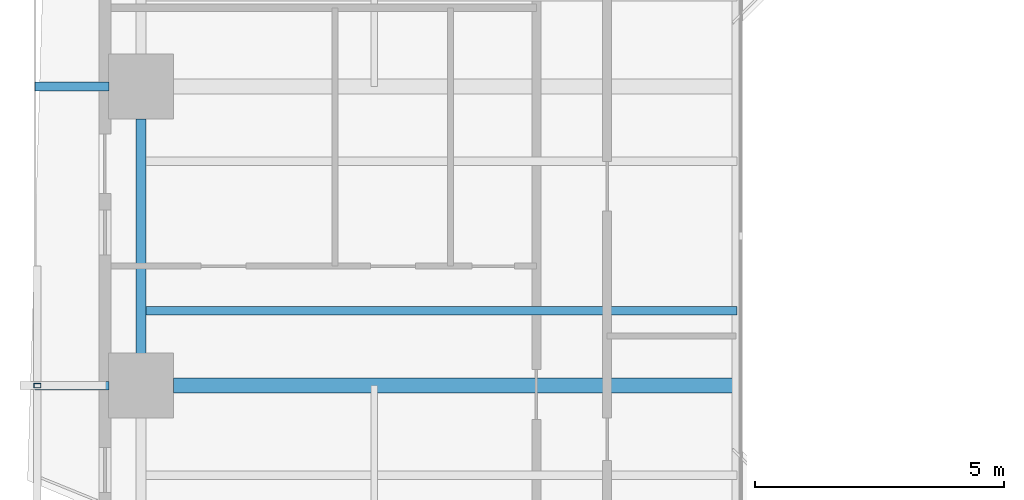
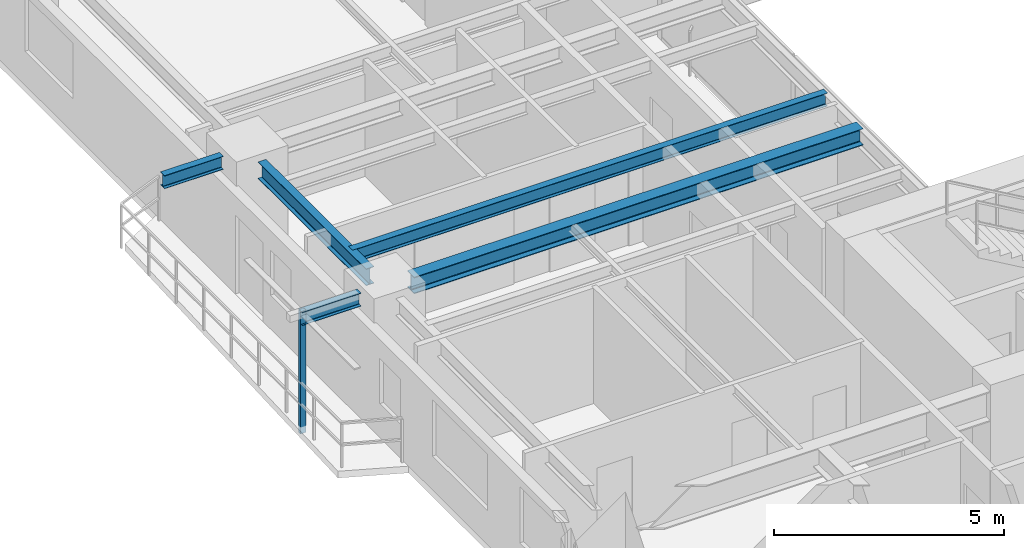
# One storey, part 3 of 23: 5 beams, 1 member.
"""IFC4 building model written with IfcOpenShell, lengths in metres."""

from ifc_helpers import new_model, si_unit, direction, frame, origin, origin_2d, place, context, subcontext, project, spatial, hollow_rectangle, i_section, extrude, source, transform, mapped, material, material_profile, profile_set, type_object, element, save


model = new_model("IFC4")

# Units and contexts
model_context = context("Model", 3, precision=1e-05, world=origin(), true_north=direction((0.0, 1.0)))
body_context = subcontext(model_context, "Body", "Model", "MODEL_VIEW")
ifc_project = project(units=[si_unit("LENGTHUNIT", "METRE"), si_unit("AREAUNIT", "SQUARE_METRE"), si_unit("VOLUMEUNIT", "CUBIC_METRE"), si_unit("PLANEANGLEUNIT", "RADIAN"), si_unit("MASSUNIT", "GRAM", prefix="KILO"), si_unit("THERMODYNAMICTEMPERATUREUNIT", "KELVIN"), si_unit("POWERUNIT", "WATT")], contexts=[model_context])

# Site, building, storey
site_placement = place(None, origin())
site = spatial("IfcSite", under=ifc_project, at=site_placement, CompositionType="ELEMENT")
building_placement = place(site_placement, origin())
building = spatial("IfcBuilding", under=site, at=building_placement, Name="Qiaomeng Ring Towers", CompositionType="ELEMENT")
storey_placement = place(building_placement, frame((0.0, 0.0, 76.25)))
storey = spatial("IfcBuildingStorey", under=building, at=storey_placement, Name="L21", CompositionType="ELEMENT", Elevation=76.25)

# Beams
ifc_material_1 = material(Name="Steel Q355B", Category="steel")
ifc_material_profile_1 = material_profile(ifc_material_1, i_section(OverallWidth=0.199951171875, OverallDepth=0.449951171875, WebThickness=0.009033203125, FlangeThickness=0.013916015625, FilletRadius=0.01806640625, at=origin_2d()), Name="HN 450x200x9x14")
ifc_profile_set_1 = profile_set([ifc_material_profile_1], Name="Steel Q355B")
beam_type_1 = type_object("IfcBeamType", Name="STR-BM-HN450", PredefinedType="SPANDREL", material=ifc_profile_set_1)
shared_shape_1 = source(origin(), body_context, "Body", "SweptSolid", [
    extrude(i_section(OverallWidth=0.199951171875, OverallDepth=0.449951171875, WebThickness=0.009033203125, FlangeThickness=0.013916015625, FilletRadius=0.01806640625, at=origin_2d()), origin(), (0.0, 0.0, 1.0), 4.7021484375),
])
beam_1_placement = place(storey_placement, frame((0.85009765625, 25.35107421875, 2.844970703125), z_axis=(0.0, -1.0, 0.0), x_axis=(1.0, 0.0, 0.0)))
element("IfcBeam", 1, at=beam_1_placement, inside=storey, type_object=beam_type_1, Name="L21 beam STR-SP-L21-T1-W3-W2", PredefinedType="SPANDREL", context=body_context, shape_type="MappedRepresentation", body=[
    mapped(shared_shape_1, transform((0.0, 0.0, 0.0), x_axis=(1.0, 0.0, 0.0), y_axis=(0.0, 1.0, 0.0), z_axis=(0.0, 0.0, 1.0), scale=1.0)),
])
ifc_material_profile_2 = material_profile(ifc_material_1, i_section(OverallWidth=0.300048828125, OverallDepth=0.43994140625, WebThickness=0.010986328125, FlangeThickness=0.01806640625, FilletRadius=0.02392578125, at=origin_2d()), Name="HM 440x300x11x18")
ifc_profile_set_2 = profile_set([ifc_material_profile_2], Name="Steel Q355B")
beam_type_2 = type_object("IfcBeamType", Name="STR-BM-HM440", PredefinedType="BEAM", material=ifc_profile_set_2)
shared_shape_2 = source(origin(), body_context, "Body", "SweptSolid", [
    extrude(i_section(OverallWidth=0.300048828125, OverallDepth=0.43994140625, WebThickness=0.010986328125, FlangeThickness=0.01806640625, FilletRadius=0.02392578125, at=origin_2d()), origin(), (0.0, 0.0, 1.0), 11.301025390625),
])
beam_2_placement = place(storey_placement, frame((1.4990234375, 20.0, 2.85009765625), z_axis=(1.0, 0.0, 0.0), x_axis=(0.0, 1.0, 0.0)))
element("IfcBeam", 2, at=beam_2_placement, inside=storey, type_object=beam_type_2, Name="L21 beam STR-BM-L21-T1-RAD-W2", PredefinedType="BEAM", context=body_context, shape_type="MappedRepresentation", body=[
    mapped(shared_shape_2, transform((0.0, 0.0, 0.0), x_axis=(1.0, 0.0, 0.0), y_axis=(0.0, 1.0, 0.0), z_axis=(0.0, 0.0, 1.0), scale=1.0)),
])
ifc_material_profile_3 = material_profile(ifc_material_1, i_section(OverallWidth=0.175048828125, OverallDepth=0.35009765625, WebThickness=0.007080078125, FlangeThickness=0.010986328125, FilletRadius=0.013916015625, at=origin_2d()), Name="HN 350x175x7x11")
ifc_profile_set_3 = profile_set([ifc_material_profile_3], Name="Steel Q355B")
beam_type_3 = type_object("IfcBeamType", Name="STR-BM-HN350", PredefinedType="JOIST", material=ifc_profile_set_3)
shared_shape_3 = source(origin(), body_context, "Body", "SweptSolid", [
    extrude(i_section(OverallWidth=0.175048828125, OverallDepth=0.35009765625, WebThickness=0.007080078125, FlangeThickness=0.010986328125, FilletRadius=0.013916015625, at=origin_2d()), origin(), (0.0, 0.0, 1.0), 11.949951171875),
])
beam_3_placement = place(storey_placement, frame((0.85009765625, 21.5, 2.89501953125), z_axis=(1.0, 0.0, 0.0), x_axis=(0.0, 1.0, 0.0)))
element("IfcBeam", 3, at=beam_3_placement, inside=storey, type_object=beam_type_3, Name="L21 beam STR-JST-L21-T1W-2", PredefinedType="JOIST", context=body_context, shape_type="MappedRepresentation", body=[
    mapped(shared_shape_3, transform((0.0, 0.0, 0.0), x_axis=(1.0, 0.0, 0.0), y_axis=(0.0, 1.0, 0.0), z_axis=(0.0, 0.0, 1.0), scale=1.0)),
])
shared_shape_4 = source(origin(), body_context, "Body", "SweptSolid", [
    extrude(i_section(OverallWidth=0.175048828125, OverallDepth=0.35009765625, WebThickness=0.007080078125, FlangeThickness=0.010986328125, FilletRadius=0.013916015625, at=origin_2d()), origin(), (0.0, 0.0, 1.0), 1.48095703125),
])
for number, where, z_axis, x_axis, name in (
    (4, (-1.280029296875, 20.0, 2.89501953125), (1.0, 0.0, 0.0), (0.0, 1.0, 0.0), "L21 beam STR-BALBM-L21-W2"),
    (5, (-1.280029296875, 26.0, 2.89501953125), (1.0, 0.0, 0.0), (0.0, 1.0, 0.0), "L21 beam STR-BALBM-L21-W3"),
):
    element("IfcBeam", number, at=place(storey_placement, frame(where, z_axis=z_axis, x_axis=x_axis)), inside=storey, type_object=beam_type_3, Name=name, PredefinedType="JOIST", context=body_context, shape_type="MappedRepresentation", body=[
        mapped(shared_shape_4, transform((0.0, 0.0, 0.0), x_axis=(1.0, 0.0, 0.0), y_axis=(0.0, 1.0, 0.0), z_axis=(0.0, 0.0, 1.0), scale=1.0)),
    ])

# Member
ifc_material_2 = material(Name="Stainless steel 316", Category="steel")
ifc_material_profile_4 = material_profile(ifc_material_2, hollow_rectangle(XDim=0.090087890625, YDim=0.139892578125, WallThickness=0.0048828125, at=origin_2d()), Name="SS TRELLIS 90x140")
ifc_profile_set_4 = profile_set([ifc_material_profile_4], Name="Stainless steel 316")
member_type = type_object("IfcMemberType", Name="ARC-TR-POST1", PredefinedType="STUD", material=ifc_profile_set_4)
shared_shape_5 = source(origin(), body_context, "Body", "SweptSolid", [
    extrude(hollow_rectangle(XDim=0.090087890625, YDim=0.139892578125, WallThickness=0.0048828125, at=origin_2d()), origin(), (0.0, 0.0, 1.0), 3.25),
])
member_placement = place(storey_placement, frame((-1.22998046875, 20.0, -0.179931640625), z_axis=(0.0, 0.0, 1.0), x_axis=(0.0, 1.0, 0.0)))
element("IfcMember", 6, at=member_placement, inside=storey, type_object=member_type, Name="L21 Outer Ventilated Trellis Post W", PredefinedType="STUD", context=body_context, shape_type="MappedRepresentation", body=[
    mapped(shared_shape_5, transform((0.0, 0.0, 0.0), x_axis=(1.0, 0.0, 0.0), y_axis=(0.0, 1.0, 0.0), z_axis=(0.0, 0.0, 1.0), scale=1.0)),
])

save(model, "model.ifc")
